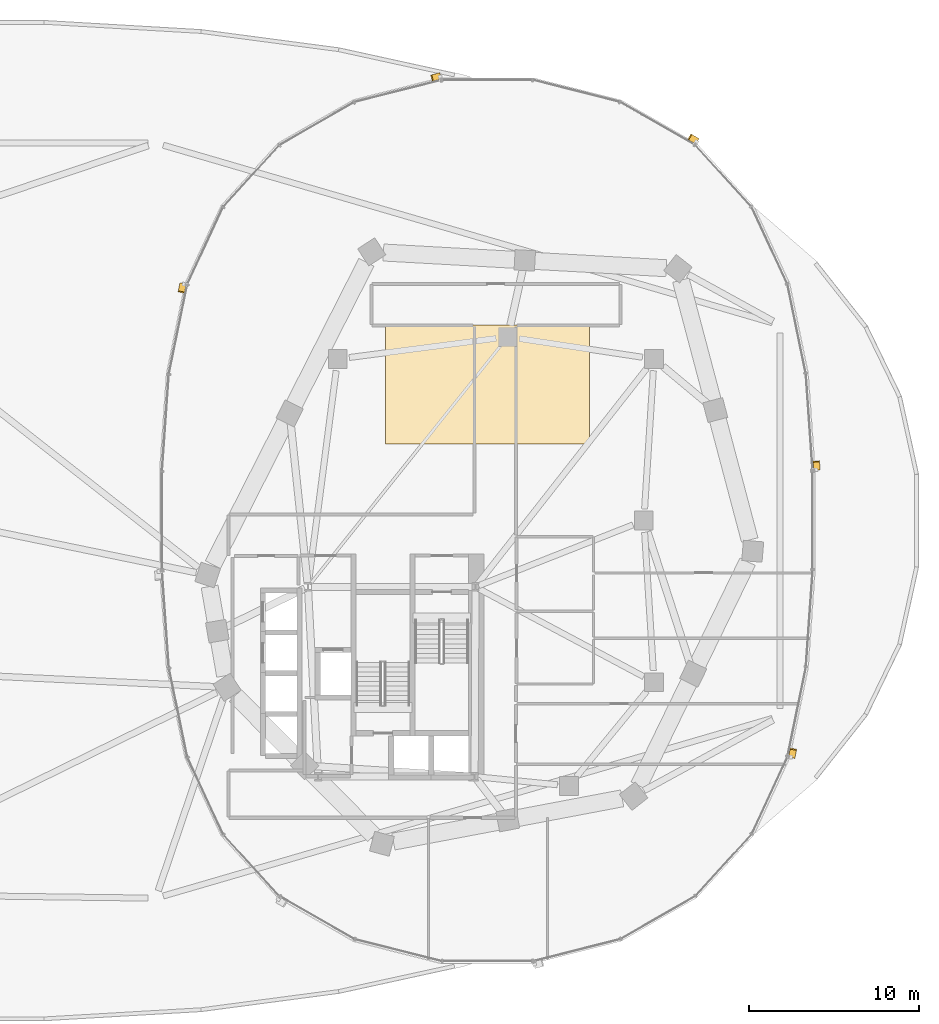
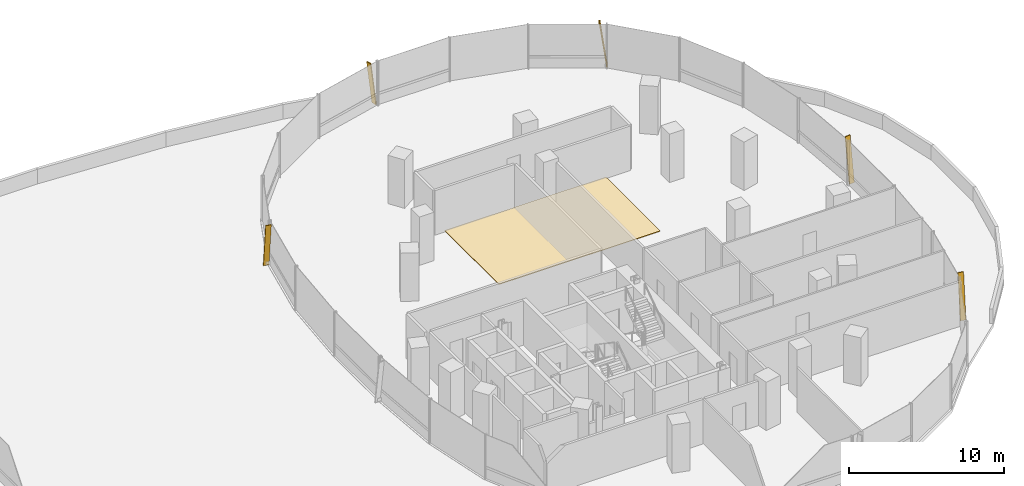
# One storey, part 28 of 28: 5 shading devices, 1 covering.
"""IFC4 building model written with IfcOpenShell, lengths in metres."""

from ifc_helpers import new_model, si_unit, direction, frame, origin, origin_2d, place, context, subcontext, project, spatial, polyline, rectangle, outline, extrude, material, layer, layer_set, material_profile, profile_set, type_object, element, save


model = new_model("IFC4")

# Units and contexts
model_context = context("Model", 3, precision=1e-05, world=origin(), true_north=direction((0.0, 1.0)))
body_context = subcontext(model_context, "Body", "Model", "MODEL_VIEW")
ifc_project = project(units=[si_unit("LENGTHUNIT", "METRE"), si_unit("AREAUNIT", "SQUARE_METRE"), si_unit("VOLUMEUNIT", "CUBIC_METRE"), si_unit("PLANEANGLEUNIT", "RADIAN"), si_unit("MASSUNIT", "GRAM", prefix="KILO"), si_unit("THERMODYNAMICTEMPERATUREUNIT", "KELVIN"), si_unit("POWERUNIT", "WATT")], contexts=[model_context])

# Site, building, storey
site_placement = place(None, origin())
site = spatial("IfcSite", under=ifc_project, at=site_placement, CompositionType="ELEMENT")
building_placement = place(site_placement, origin())
building = spatial("IfcBuilding", under=site, at=building_placement, Name="Cundina Bronze Exchange", CompositionType="ELEMENT")
storey_placement = place(building_placement, frame((0.0, 0.0, 24.0)))
storey = spatial("IfcBuildingStorey", under=building, at=storey_placement, Name="L05", CompositionType="ELEMENT", Elevation=24.0)

# Covering
ifc_material_1 = material(Name="Raised Access Steel-Cementitious Floor Panel 40mm", Category="steel")
ifc_layer = layer(ifc_material_1, 0.0400390625, Name="Raised Access Steel-Cementitious Floor Panel 40mm", Category="steel")
ifc_layer_set = layer_set([ifc_layer], Name="Raised Access Steel-Cementitious Floor Panel 40mm")
covering_type = type_object("IfcCoveringType", Name="COV-FLR-RAF40", PredefinedType="FLOORING", material=ifc_layer_set)
covering_placement = place(storey_placement, origin())
element("IfcCovering", 1, at=covering_placement, inside=storey, type_object=covering_type, Name="L05 E UFAD Raised Access Trading Floor", PredefinedType="FLOORING", context=body_context, shape_type="SweptSolid", body=[
    extrude(outline(polyline([(26.0, 4.5), (38.0, 4.5), (38.0, 11.5), (26.0, 11.5), (26.0, 4.5)])), origin(), (0.0, 0.0, 1.0), 0.0400390625),
])

# Shading devices
ifc_material_2 = material(Name="Anodised Bronze Aluminium 6063-T6", Category="aluminium")
ifc_material_profile = material_profile(ifc_material_2, rectangle(XDim=0.070068359375, YDim=0.3798828125, at=origin_2d()), Name="FIN70X380", Category="aluminium")
ifc_profile_set = profile_set([ifc_material_profile], Name="Anodised Bronze Aluminium 6063-T6")
shading_device_type = type_object("IfcShadingDeviceType", Name="SHD-FIN-BRZ380", PredefinedType="USERDEFINED", material=ifc_profile_set)
for number, where, z_axis, x_axis, name in (
    (2, (51.3740234375, 2.993896484375, 0.02001953125), (-0.009645159174, 0.137059109714, 0.990515911709), (0.06953288269, -0.988072340253, 0.137398066402), "L05 Diagonal Bronze Solar Fin 1"),
    (3, (44.314208984375, 22.314208984375, 0.02001953125), (-0.119166378275, 0.06842456559, 0.990513731915), (0.85898178632, -0.493221799887, 0.137413779831), "L05 Diagonal Bronze Solar Fin 5"),
    (4, (29.212646484375, 26.138427734375, 0.02001953125), (-0.133214830938, -0.033688115694, 0.990514472221), (0.960284642503, 0.242842181368, 0.137408443412), "L05 Diagonal Bronze Solar Fin 1"),
    (5, (14.10400390625, 13.911865234375, 0.02001953125), (-0.027747134956, -0.134612045151, 0.990509815096), (0.199966585563, 0.970114971774, 0.137442010309), "L05 Diagonal Bronze Solar Fin 5"),
    (6, (49.89599609375, -13.911865234375, 0.02001953125), (0.027747134956, 0.134612045151, 0.990509815096), (-0.199966585563, -0.970114971774, 0.137442010309), "L05 Diagonal Bronze Solar Fin 5"),
):
    element("IfcShadingDevice", number, at=place(storey_placement, frame(where, z_axis=z_axis, x_axis=x_axis)), inside=storey, type_object=shading_device_type, Name=name, ObjectType="FIN", PredefinedType="USERDEFINED", context=body_context, shape_type="SweptSolid", body=[
        extrude(rectangle(XDim=0.070068359375, YDim=0.3798828125, at=origin_2d()), origin(), (0.0, 0.0, 1.0), 3.4931640625),
    ])

save(model, "model.ifc")
